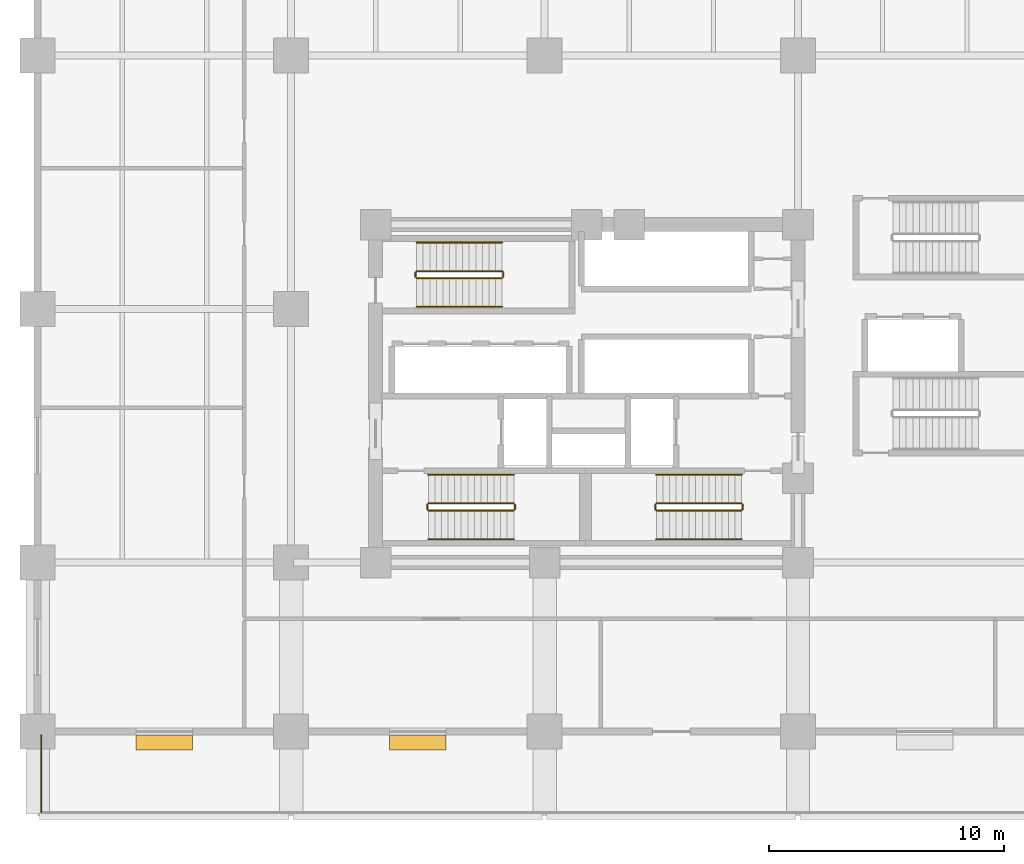
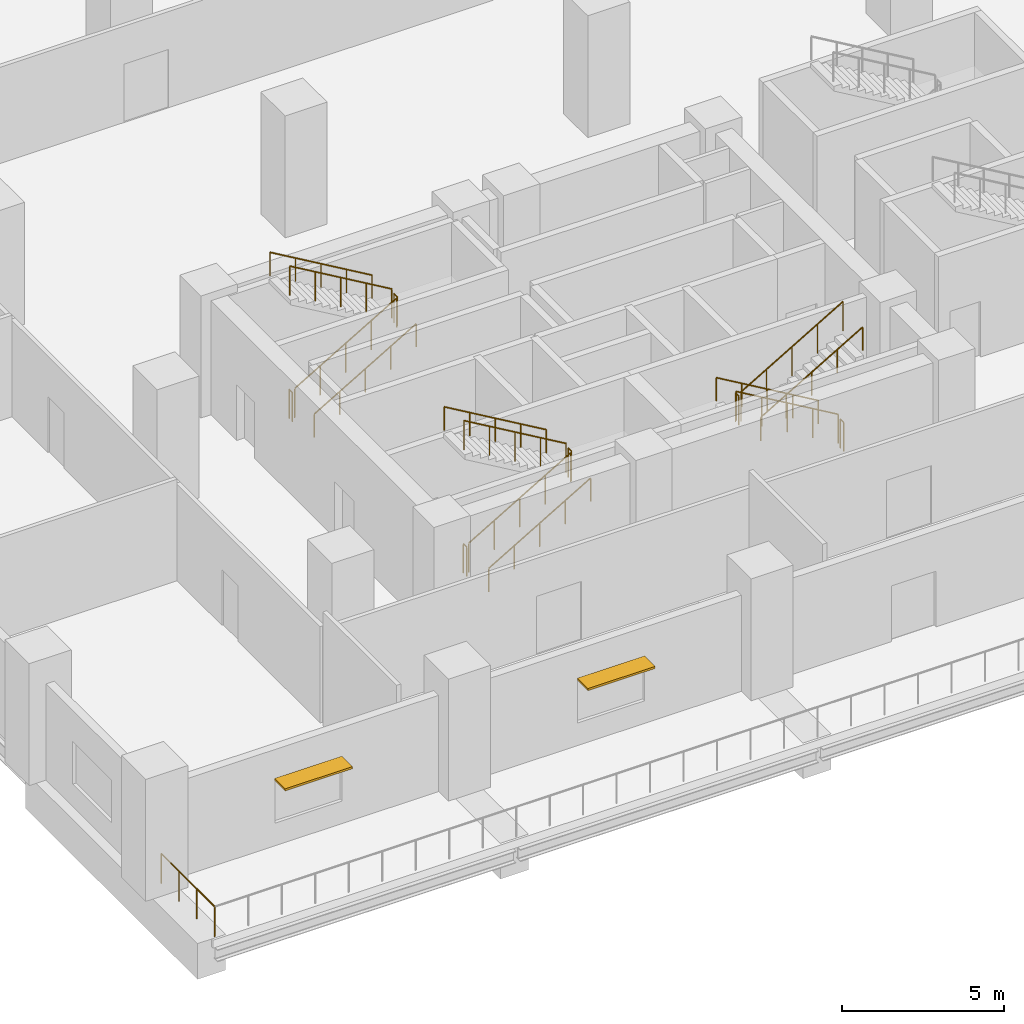
# One storey, part 8 of 11: 19 railings, 2 shading devices.
"""IFC4 building model written with IfcOpenShell, lengths in metres."""

from ifc_helpers import new_model, si_unit, direction, frame, origin, origin_2d, place, context, subcontext, project, spatial, rectangle, circle, extrude, material, layer, layer_set, type_object, element, save


model = new_model("IFC4")

# Units and contexts
model_context = context("Model", 3, precision=1e-05, world=origin(), true_north=direction((0.0, 1.0)))
body_context = subcontext(model_context, "Body", "Model", "MODEL_VIEW")
ifc_project = project(units=[si_unit("LENGTHUNIT", "METRE"), si_unit("AREAUNIT", "SQUARE_METRE"), si_unit("VOLUMEUNIT", "CUBIC_METRE"), si_unit("PLANEANGLEUNIT", "RADIAN"), si_unit("MASSUNIT", "GRAM", prefix="KILO")], contexts=[model_context])

# Site, building, storey
site_placement = place(None, origin())
site = spatial("IfcSite", under=ifc_project, at=site_placement, CompositionType="ELEMENT")
building_placement = place(site_placement, origin())
building = spatial("IfcBuilding", under=site, at=building_placement, Name="Solnavia Interchange Tower", CompositionType="ELEMENT")
storey_placement = place(building_placement, frame((0.0, 0.0, 14.800048828125)))
storey = spatial("IfcBuildingStorey", under=building, at=storey_placement, Name="L03", CompositionType="ELEMENT", Elevation=14.800048828125)

# Railings
ifc_material_1 = material(Name="Painted Steel Balustrade", Category="steel")
railing_type_1 = type_object("IfcRailingType", Name="Railing-StairGuard-1100", PredefinedType="GUARDRAIL", material=ifc_material_1)
railing_1_placement = place(storey_placement, frame((16.64990234375, 13.02001953125, 0.164306640625)))
element("IfcRailing", 1, at=railing_1_placement, inside=storey, type_object=railing_type_1, Name="L03 ST-1 stair guard 1", PredefinedType="GUARDRAIL", context=body_context, shape_type="SweptSolid", body=[
    extrude(circle(Radius=0.02392578125, at=origin_2d()), frame((0.0, 0.0, 1.09619140625), z_axis=(0.862504707072, 0.0, 0.506049039401), x_axis=(0.0, 1.0, 0.0)), (0.0, 0.0, 1.0), 4.220458984375),
    extrude(circle(Radius=0.02099609375, at=origin_2d()), origin(), (0.0, 0.0, 1.0), 1.072021484375),
    extrude(circle(Radius=0.02099609375, at=origin_2d()), frame((0.91015625, 0.0, 0.533935546875)), (0.0, 0.0, 1.0), 1.072021484375),
    extrude(circle(Radius=0.02099609375, at=origin_2d()), frame((1.820068359375, 0.0, 1.06787109375)), (0.0, 0.0, 1.0), 1.072021484375),
    extrude(circle(Radius=0.02099609375, at=origin_2d()), frame((2.72998046875, 0.0, 1.601806640625)), (0.0, 0.0, 1.0), 1.072021484375),
    extrude(circle(Radius=0.02099609375, at=origin_2d()), frame((3.64013671875, 0.0, 2.1357421875)), (0.0, 0.0, 1.0), 1.072021484375),
])
railing_2_placement = place(storey_placement, frame((20.340087890625, 13.070068359375, 2.300048828125)))
element("IfcRailing", 2, at=railing_2_placement, inside=storey, type_object=railing_type_1, Name="L03 ST-1 stair guard 2", PredefinedType="GUARDRAIL", context=body_context, shape_type="SweptSolid", body=[
    extrude(circle(Radius=0.02392578125, at=origin_2d()), frame((0.0, 0.0, 1.09619140625), z_axis=(0.0, 1.0, 0.0), x_axis=(-1.0, 0.0, 0.0)), (0.0, 0.0, 1.0), 0.199951171875),
    extrude(circle(Radius=0.02099609375, at=origin_2d()), origin(), (0.0, 0.0, 1.0), 1.072021484375),
    extrude(circle(Radius=0.02099609375, at=origin_2d()), frame((0.0, 0.199951171875, 0.0)), (0.0, 0.0, 1.0), 1.072021484375),
])
railing_3_placement = place(storey_placement, frame((20.2900390625, 13.320068359375, 2.46435546875)))
element("IfcRailing", 3, at=railing_3_placement, inside=storey, type_object=railing_type_1, Name="L03 ST-1 stair guard 3", PredefinedType="GUARDRAIL", context=body_context, shape_type="SweptSolid", body=[
    extrude(circle(Radius=0.02392578125, at=origin_2d()), frame((0.0, 0.0, 1.09619140625), z_axis=(-0.862529955373, 0.0, 0.506006004), x_axis=(0.0, -1.0, 0.0)), (0.0, 0.0, 1.0), 4.22021484375),
    extrude(circle(Radius=0.02099609375, at=origin_2d()), origin(), (0.0, 0.0, 1.0), 1.072021484375),
    extrude(circle(Radius=0.02099609375, at=origin_2d()), frame((-0.91015625, 0.0, 0.533935546875)), (0.0, 0.0, 1.0), 1.072021484375),
    extrude(circle(Radius=0.02099609375, at=origin_2d()), frame((-1.820068359375, 0.0, 1.06787109375)), (0.0, 0.0, 1.0), 1.072021484375),
    extrude(circle(Radius=0.02099609375, at=origin_2d()), frame((-2.72998046875, 0.0, 1.6015625)), (0.0, 0.0, 1.0), 1.072021484375),
    extrude(circle(Radius=0.02099609375, at=origin_2d()), frame((-3.64013671875, 0.0, 2.135498046875)), (0.0, 0.0, 1.0), 1.072021484375),
])
railing_4_placement = place(storey_placement, frame((16.60009765625, 13.070068359375, 0.0)))
element("IfcRailing", 4, at=railing_4_placement, inside=storey, type_object=railing_type_1, Name="L03 ST-1 stair guard 4", PredefinedType="GUARDRAIL", context=body_context, shape_type="SweptSolid", body=[
    extrude(circle(Radius=0.02392578125, at=origin_2d()), frame((0.0, 0.0, 1.09619140625), z_axis=(0.0, 1.0, 0.0), x_axis=(-1.0, 0.0, 0.0)), (0.0, 0.0, 1.0), 0.199951171875),
    extrude(circle(Radius=0.02099609375, at=origin_2d()), origin(), (0.0, 0.0, 1.0), 1.072021484375),
    extrude(circle(Radius=0.02099609375, at=origin_2d()), frame((0.0, 0.199951171875, 0.0)), (0.0, 0.0, 1.0), 1.072021484375),
])
railing_5_placement = place(storey_placement, frame((30.0, 13.320068359375, 0.164306640625)))
element("IfcRailing", 5, at=railing_5_placement, inside=storey, type_object=railing_type_1, Name="L03 ST-2 stair guard 1", PredefinedType="GUARDRAIL", context=body_context, shape_type="SweptSolid", body=[
    extrude(circle(Radius=0.02392578125, at=origin_2d()), frame((0.0, 0.0, 1.09619140625), z_axis=(-0.862489892076, 0.0, 0.506074289079), x_axis=(0.0, -1.0, 0.0)), (0.0, 0.0, 1.0), 4.22021484375),
    extrude(circle(Radius=0.02099609375, at=origin_2d()), origin(), (0.0, 0.0, 1.0), 1.072021484375),
    extrude(circle(Radius=0.02099609375, at=origin_2d()), frame((-0.909912109375, 0.0, 0.533935546875)), (0.0, 0.0, 1.0), 1.072021484375),
    extrude(circle(Radius=0.02099609375, at=origin_2d()), frame((-1.81982421875, 0.0, 1.06787109375)), (0.0, 0.0, 1.0), 1.072021484375),
    extrude(circle(Radius=0.02099609375, at=origin_2d()), frame((-2.72998046875, 0.0, 1.601806640625)), (0.0, 0.0, 1.0), 1.072021484375),
    extrude(circle(Radius=0.02099609375, at=origin_2d()), frame((-3.639892578125, 0.0, 2.1357421875)), (0.0, 0.0, 1.0), 1.072021484375),
])
railing_6_placement = place(storey_placement, frame((26.31005859375, 13.27001953125, 2.300048828125)))
element("IfcRailing", 6, at=railing_6_placement, inside=storey, type_object=railing_type_1, Name="L03 ST-2 stair guard 2", PredefinedType="GUARDRAIL", context=body_context, shape_type="SweptSolid", body=[
    extrude(circle(Radius=0.02392578125, at=origin_2d()), frame((0.0, 0.0, 1.09619140625), z_axis=(0.0, -1.0, 0.0), x_axis=(1.0, 0.0, 0.0)), (0.0, 0.0, 1.0), 0.199951171875),
    extrude(circle(Radius=0.02099609375, at=origin_2d()), origin(), (0.0, 0.0, 1.0), 1.072021484375),
    extrude(circle(Radius=0.02099609375, at=origin_2d()), frame((0.0, -0.199951171875, 0.0)), (0.0, 0.0, 1.0), 1.072021484375),
])
railing_7_placement = place(storey_placement, frame((26.360107421875, 13.02001953125, 2.46435546875)))
element("IfcRailing", 7, at=railing_7_placement, inside=storey, type_object=railing_type_1, Name="L03 ST-2 stair guard 3", PredefinedType="GUARDRAIL", context=body_context, shape_type="SweptSolid", body=[
    extrude(circle(Radius=0.02392578125, at=origin_2d()), frame((0.0, 0.0, 1.09619140625), z_axis=(0.862515142463, 0.0, 0.50603125301), x_axis=(0.0, 1.0, 0.0)), (0.0, 0.0, 1.0), 4.219970703125),
    extrude(circle(Radius=0.02099609375, at=origin_2d()), origin(), (0.0, 0.0, 1.0), 1.072021484375),
    extrude(circle(Radius=0.02099609375, at=origin_2d()), frame((0.909912109375, 0.0, 0.533935546875)), (0.0, 0.0, 1.0), 1.072021484375),
    extrude(circle(Radius=0.02099609375, at=origin_2d()), frame((1.81982421875, 0.0, 1.06787109375)), (0.0, 0.0, 1.0), 1.072021484375),
    extrude(circle(Radius=0.02099609375, at=origin_2d()), frame((2.72998046875, 0.0, 1.6015625)), (0.0, 0.0, 1.0), 1.072021484375),
    extrude(circle(Radius=0.02099609375, at=origin_2d()), frame((3.639892578125, 0.0, 2.135498046875)), (0.0, 0.0, 1.0), 1.072021484375),
])
railing_8_placement = place(storey_placement, frame((30.050048828125, 13.27001953125, 0.0)))
element("IfcRailing", 8, at=railing_8_placement, inside=storey, type_object=railing_type_1, Name="L03 ST-2 stair guard 4", PredefinedType="GUARDRAIL", context=body_context, shape_type="SweptSolid", body=[
    extrude(circle(Radius=0.02392578125, at=origin_2d()), frame((0.0, 0.0, 1.09619140625), z_axis=(0.0, -1.0, 0.0), x_axis=(1.0, 0.0, 0.0)), (0.0, 0.0, 1.0), 0.199951171875),
    extrude(circle(Radius=0.02099609375, at=origin_2d()), origin(), (0.0, 0.0, 1.0), 1.072021484375),
    extrude(circle(Radius=0.02099609375, at=origin_2d()), frame((0.0, -0.199951171875, 0.0)), (0.0, 0.0, 1.0), 1.072021484375),
])
railing_9_placement = place(storey_placement, frame((16.14990234375, 22.919921875, 0.164306640625)))
element("IfcRailing", 9, at=railing_9_placement, inside=storey, type_object=railing_type_1, Name="L03 ST-3 stair guard 1", PredefinedType="GUARDRAIL", context=body_context, shape_type="SweptSolid", body=[
    extrude(circle(Radius=0.02392578125, at=origin_2d()), frame((0.0, 0.0, 1.09619140625), z_axis=(0.862504707072, 0.0, 0.506049039401), x_axis=(0.0, 1.0, 0.0)), (0.0, 0.0, 1.0), 4.220458984375),
    extrude(circle(Radius=0.02099609375, at=origin_2d()), origin(), (0.0, 0.0, 1.0), 1.072021484375),
    extrude(circle(Radius=0.02099609375, at=origin_2d()), frame((0.91015625, 0.0, 0.533935546875)), (0.0, 0.0, 1.0), 1.072021484375),
    extrude(circle(Radius=0.02099609375, at=origin_2d()), frame((1.820068359375, 0.0, 1.06787109375)), (0.0, 0.0, 1.0), 1.072021484375),
    extrude(circle(Radius=0.02099609375, at=origin_2d()), frame((2.72998046875, 0.0, 1.601806640625)), (0.0, 0.0, 1.0), 1.072021484375),
    extrude(circle(Radius=0.02099609375, at=origin_2d()), frame((3.64013671875, 0.0, 2.1357421875)), (0.0, 0.0, 1.0), 1.072021484375),
])
railing_10_placement = place(storey_placement, frame((19.840087890625, 22.969970703125, 2.300048828125)))
element("IfcRailing", 10, at=railing_10_placement, inside=storey, type_object=railing_type_1, Name="L03 ST-3 stair guard 2", PredefinedType="GUARDRAIL", context=body_context, shape_type="SweptSolid", body=[
    extrude(circle(Radius=0.02392578125, at=origin_2d()), frame((0.0, 0.0, 1.09619140625), z_axis=(0.0, 1.0, 0.0), x_axis=(-1.0, 0.0, 0.0)), (0.0, 0.0, 1.0), 0.199951171875),
    extrude(circle(Radius=0.02099609375, at=origin_2d()), origin(), (0.0, 0.0, 1.0), 1.072021484375),
    extrude(circle(Radius=0.02099609375, at=origin_2d()), frame((0.0, 0.199951171875, 0.0)), (0.0, 0.0, 1.0), 1.072021484375),
])
railing_11_placement = place(storey_placement, frame((19.7900390625, 23.219970703125, 2.46435546875)))
element("IfcRailing", 11, at=railing_11_placement, inside=storey, type_object=railing_type_1, Name="L03 ST-3 stair guard 3", PredefinedType="GUARDRAIL", context=body_context, shape_type="SweptSolid", body=[
    extrude(circle(Radius=0.02392578125, at=origin_2d()), frame((0.0, 0.0, 1.09619140625), z_axis=(-0.862529955373, 0.0, 0.506006004), x_axis=(0.0, -1.0, 0.0)), (0.0, 0.0, 1.0), 4.22021484375),
    extrude(circle(Radius=0.02099609375, at=origin_2d()), origin(), (0.0, 0.0, 1.0), 1.072021484375),
    extrude(circle(Radius=0.02099609375, at=origin_2d()), frame((-0.91015625, 0.0, 0.533935546875)), (0.0, 0.0, 1.0), 1.072021484375),
    extrude(circle(Radius=0.02099609375, at=origin_2d()), frame((-1.820068359375, 0.0, 1.06787109375)), (0.0, 0.0, 1.0), 1.072021484375),
    extrude(circle(Radius=0.02099609375, at=origin_2d()), frame((-2.72998046875, 0.0, 1.6015625)), (0.0, 0.0, 1.0), 1.072021484375),
    extrude(circle(Radius=0.02099609375, at=origin_2d()), frame((-3.64013671875, 0.0, 2.135498046875)), (0.0, 0.0, 1.0), 1.072021484375),
])
railing_12_placement = place(storey_placement, frame((16.10009765625, 22.969970703125, 0.0)))
element("IfcRailing", 12, at=railing_12_placement, inside=storey, type_object=railing_type_1, Name="L03 ST-3 stair guard 4", PredefinedType="GUARDRAIL", context=body_context, shape_type="SweptSolid", body=[
    extrude(circle(Radius=0.02392578125, at=origin_2d()), frame((0.0, 0.0, 1.09619140625), z_axis=(0.0, 1.0, 0.0), x_axis=(-1.0, 0.0, 0.0)), (0.0, 0.0, 1.0), 0.199951171875),
    extrude(circle(Radius=0.02099609375, at=origin_2d()), origin(), (0.0, 0.0, 1.0), 1.072021484375),
    extrude(circle(Radius=0.02099609375, at=origin_2d()), frame((0.0, 0.199951171875, 0.0)), (0.0, 0.0, 1.0), 1.072021484375),
])
ifc_material_2 = material(Name="Brushed Stainless Steel", Category="steel")
railing_type_2 = type_object("IfcRailingType", Name="Railing-StairHandrail-900", PredefinedType="HANDRAIL", material=ifc_material_2)
railing_13_placement = place(storey_placement, frame((16.64990234375, 11.800048828125, 0.164306640625)))
element("IfcRailing", 13, at=railing_13_placement, inside=storey, type_object=railing_type_2, Name="L03 ST-1 stair handrail 1", PredefinedType="HANDRAIL", context=body_context, shape_type="SweptSolid", body=[
    extrude(circle(Radius=0.02392578125, at=origin_2d()), frame((0.0, 0.0, 0.8759765625), z_axis=(0.862504707072, 0.0, 0.506049039401), x_axis=(0.0, 1.0, 0.0)), (0.0, 0.0, 1.0), 4.220458984375),
    extrude(circle(Radius=0.02099609375, at=origin_2d()), origin(), (0.0, 0.0, 1.0), 0.851806640625),
    extrude(circle(Radius=0.02099609375, at=origin_2d()), frame((0.91015625, 0.0, 0.533935546875)), (0.0, 0.0, 1.0), 0.851806640625),
    extrude(circle(Radius=0.02099609375, at=origin_2d()), frame((1.820068359375, 0.0, 1.06787109375)), (0.0, 0.0, 1.0), 0.851806640625),
    extrude(circle(Radius=0.02099609375, at=origin_2d()), frame((2.72998046875, 0.0, 1.601806640625)), (0.0, 0.0, 1.0), 0.851806640625),
    extrude(circle(Radius=0.02099609375, at=origin_2d()), frame((3.64013671875, 0.0, 2.1357421875)), (0.0, 0.0, 1.0), 0.851806640625),
])
railing_14_placement = place(storey_placement, frame((20.2900390625, 14.5400390625, 2.46435546875)))
element("IfcRailing", 14, at=railing_14_placement, inside=storey, type_object=railing_type_2, Name="L03 ST-1 stair handrail 2", PredefinedType="HANDRAIL", context=body_context, shape_type="SweptSolid", body=[
    extrude(circle(Radius=0.02392578125, at=origin_2d()), frame((0.0, 0.0, 0.8759765625), z_axis=(-0.862529955373, 0.0, 0.506006004), x_axis=(0.0, -1.0, 0.0)), (0.0, 0.0, 1.0), 4.22021484375),
    extrude(circle(Radius=0.02099609375, at=origin_2d()), origin(), (0.0, 0.0, 1.0), 0.851806640625),
    extrude(circle(Radius=0.02099609375, at=origin_2d()), frame((-0.91015625, 0.0, 0.533935546875)), (0.0, 0.0, 1.0), 0.851806640625),
    extrude(circle(Radius=0.02099609375, at=origin_2d()), frame((-1.820068359375, 0.0, 1.06787109375)), (0.0, 0.0, 1.0), 0.851806640625),
    extrude(circle(Radius=0.02099609375, at=origin_2d()), frame((-2.72998046875, 0.0, 1.6015625)), (0.0, 0.0, 1.0), 0.851806640625),
    extrude(circle(Radius=0.02099609375, at=origin_2d()), frame((-3.64013671875, 0.0, 2.135498046875)), (0.0, 0.0, 1.0), 0.851806640625),
])
railing_15_placement = place(storey_placement, frame((30.0, 14.5400390625, 0.164306640625)))
element("IfcRailing", 15, at=railing_15_placement, inside=storey, type_object=railing_type_2, Name="L03 ST-2 stair handrail 1", PredefinedType="HANDRAIL", context=body_context, shape_type="SweptSolid", body=[
    extrude(circle(Radius=0.02392578125, at=origin_2d()), frame((0.0, 0.0, 0.8759765625), z_axis=(-0.862489892076, 0.0, 0.506074289079), x_axis=(0.0, -1.0, 0.0)), (0.0, 0.0, 1.0), 4.22021484375),
    extrude(circle(Radius=0.02099609375, at=origin_2d()), origin(), (0.0, 0.0, 1.0), 0.851806640625),
    extrude(circle(Radius=0.02099609375, at=origin_2d()), frame((-0.909912109375, 0.0, 0.533935546875)), (0.0, 0.0, 1.0), 0.851806640625),
    extrude(circle(Radius=0.02099609375, at=origin_2d()), frame((-1.81982421875, 0.0, 1.06787109375)), (0.0, 0.0, 1.0), 0.851806640625),
    extrude(circle(Radius=0.02099609375, at=origin_2d()), frame((-2.72998046875, 0.0, 1.601806640625)), (0.0, 0.0, 1.0), 0.851806640625),
    extrude(circle(Radius=0.02099609375, at=origin_2d()), frame((-3.639892578125, 0.0, 2.1357421875)), (0.0, 0.0, 1.0), 0.851806640625),
])
railing_16_placement = place(storey_placement, frame((26.360107421875, 11.800048828125, 2.46435546875)))
element("IfcRailing", 16, at=railing_16_placement, inside=storey, type_object=railing_type_2, Name="L03 ST-2 stair handrail 2", PredefinedType="HANDRAIL", context=body_context, shape_type="SweptSolid", body=[
    extrude(circle(Radius=0.02392578125, at=origin_2d()), frame((0.0, 0.0, 0.8759765625), z_axis=(0.862515142463, 0.0, 0.50603125301), x_axis=(0.0, 1.0, 0.0)), (0.0, 0.0, 1.0), 4.219970703125),
    extrude(circle(Radius=0.02099609375, at=origin_2d()), origin(), (0.0, 0.0, 1.0), 0.851806640625),
    extrude(circle(Radius=0.02099609375, at=origin_2d()), frame((0.909912109375, 0.0, 0.533935546875)), (0.0, 0.0, 1.0), 0.851806640625),
    extrude(circle(Radius=0.02099609375, at=origin_2d()), frame((1.81982421875, 0.0, 1.06787109375)), (0.0, 0.0, 1.0), 0.851806640625),
    extrude(circle(Radius=0.02099609375, at=origin_2d()), frame((2.72998046875, 0.0, 1.6015625)), (0.0, 0.0, 1.0), 0.851806640625),
    extrude(circle(Radius=0.02099609375, at=origin_2d()), frame((3.639892578125, 0.0, 2.135498046875)), (0.0, 0.0, 1.0), 0.851806640625),
])
railing_17_placement = place(storey_placement, frame((16.14990234375, 21.699951171875, 0.164306640625)))
element("IfcRailing", 17, at=railing_17_placement, inside=storey, type_object=railing_type_2, Name="L03 ST-3 stair handrail 1", PredefinedType="HANDRAIL", context=body_context, shape_type="SweptSolid", body=[
    extrude(circle(Radius=0.02392578125, at=origin_2d()), frame((0.0, 0.0, 0.8759765625), z_axis=(0.862504707072, 0.0, 0.506049039401), x_axis=(0.0, 1.0, 0.0)), (0.0, 0.0, 1.0), 4.220458984375),
    extrude(circle(Radius=0.02099609375, at=origin_2d()), origin(), (0.0, 0.0, 1.0), 0.851806640625),
    extrude(circle(Radius=0.02099609375, at=origin_2d()), frame((0.91015625, 0.0, 0.533935546875)), (0.0, 0.0, 1.0), 0.851806640625),
    extrude(circle(Radius=0.02099609375, at=origin_2d()), frame((1.820068359375, 0.0, 1.06787109375)), (0.0, 0.0, 1.0), 0.851806640625),
    extrude(circle(Radius=0.02099609375, at=origin_2d()), frame((2.72998046875, 0.0, 1.601806640625)), (0.0, 0.0, 1.0), 0.851806640625),
    extrude(circle(Radius=0.02099609375, at=origin_2d()), frame((3.64013671875, 0.0, 2.1357421875)), (0.0, 0.0, 1.0), 0.851806640625),
])
railing_18_placement = place(storey_placement, frame((19.7900390625, 24.43994140625, 2.46435546875)))
element("IfcRailing", 18, at=railing_18_placement, inside=storey, type_object=railing_type_2, Name="L03 ST-3 stair handrail 2", PredefinedType="HANDRAIL", context=body_context, shape_type="SweptSolid", body=[
    extrude(circle(Radius=0.02392578125, at=origin_2d()), frame((0.0, 0.0, 0.8759765625), z_axis=(-0.862529955373, 0.0, 0.506006004), x_axis=(0.0, -1.0, 0.0)), (0.0, 0.0, 1.0), 4.22021484375),
    extrude(circle(Radius=0.02099609375, at=origin_2d()), origin(), (0.0, 0.0, 1.0), 0.851806640625),
    extrude(circle(Radius=0.02099609375, at=origin_2d()), frame((-0.91015625, 0.0, 0.533935546875)), (0.0, 0.0, 1.0), 0.851806640625),
    extrude(circle(Radius=0.02099609375, at=origin_2d()), frame((-1.820068359375, 0.0, 1.06787109375)), (0.0, 0.0, 1.0), 0.851806640625),
    extrude(circle(Radius=0.02099609375, at=origin_2d()), frame((-2.72998046875, 0.0, 1.6015625)), (0.0, 0.0, 1.0), 0.851806640625),
    extrude(circle(Radius=0.02099609375, at=origin_2d()), frame((-3.64013671875, 0.0, 2.135498046875)), (0.0, 0.0, 1.0), 0.851806640625),
])
ifc_material_3 = material(Name="Laminated Safety Glass & Stainless Steel", Category="steel")
railing_type_3 = type_object("IfcRailingType", Name="Railing-TerraceGuard-1150", PredefinedType="GUARDRAIL", material=ifc_material_3)
railing_19_placement = place(storey_placement, frame((0.14990234375, 3.449951171875, 0.0)))
element("IfcRailing", 19, at=railing_19_placement, inside=storey, type_object=railing_type_3, Name="GRD-L03-TER-01 Perimeter terrace guardrail", PredefinedType="GUARDRAIL", context=body_context, shape_type="SweptSolid", body=[
    extrude(circle(Radius=0.02392578125, at=origin_2d()), frame((0.0, 0.0, 1.1259765625), z_axis=(0.0, -1.0, 0.0), x_axis=(1.0, 0.0, 0.0)), (0.0, 0.0, 1.0), 3.300048828125),
    extrude(circle(Radius=0.02099609375, at=origin_2d()), origin(), (0.0, 0.0, 1.0), 1.101806640625),
    extrude(circle(Radius=0.02099609375, at=origin_2d()), frame((0.0, -1.10009765625, 0.0)), (0.0, 0.0, 1.0), 1.101806640625),
    extrude(circle(Radius=0.02099609375, at=origin_2d()), frame((0.0, -2.199951171875, 0.0)), (0.0, 0.0, 1.0), 1.101806640625),
    extrude(circle(Radius=0.02099609375, at=origin_2d()), frame((0.0, -3.300048828125, 0.0)), (0.0, 0.0, 1.0), 1.101806640625),
])

# Shading devices
ifc_material_4 = material(Name="Anodised Aluminium Sunshade", Category="aluminium")
ifc_layer = layer(ifc_material_4, 0.080078125)
ifc_layer_set = layer_set([ifc_layer], Name="Anodised Aluminium Sunshade")
shading_device_type = type_object("IfcShadingDeviceType", Name="Sunshade-Band-650", PredefinedType="SHUTTER", material=ifc_layer_set)
for number, where, z_axis, x_axis, name in (
    (20, (5.39990234375, 3.1298828125, 2.4599609375), (0.0, 0.0, 1.0), (1.0, 0.0, 0.0), "SHD-L03-S01 South horizontal sunshade band"),
    (21, (16.199951171875, 3.1298828125, 2.4599609375), (0.0, 0.0, 1.0), (1.0, 0.0, 0.0), "SHD-L03-S02 South horizontal sunshade band"),
):
    element("IfcShadingDevice", number, at=place(storey_placement, frame(where, z_axis=z_axis, x_axis=x_axis)), inside=storey, type_object=shading_device_type, Name=name, PredefinedType="SHUTTER", context=body_context, shape_type="SweptSolid", body=[
        extrude(rectangle(XDim=2.39990234375, YDim=0.64990234375, at=origin_2d()), origin(), (0.0, 0.0, 1.0), 0.080078125),
    ])

save(model, "model.ifc")
